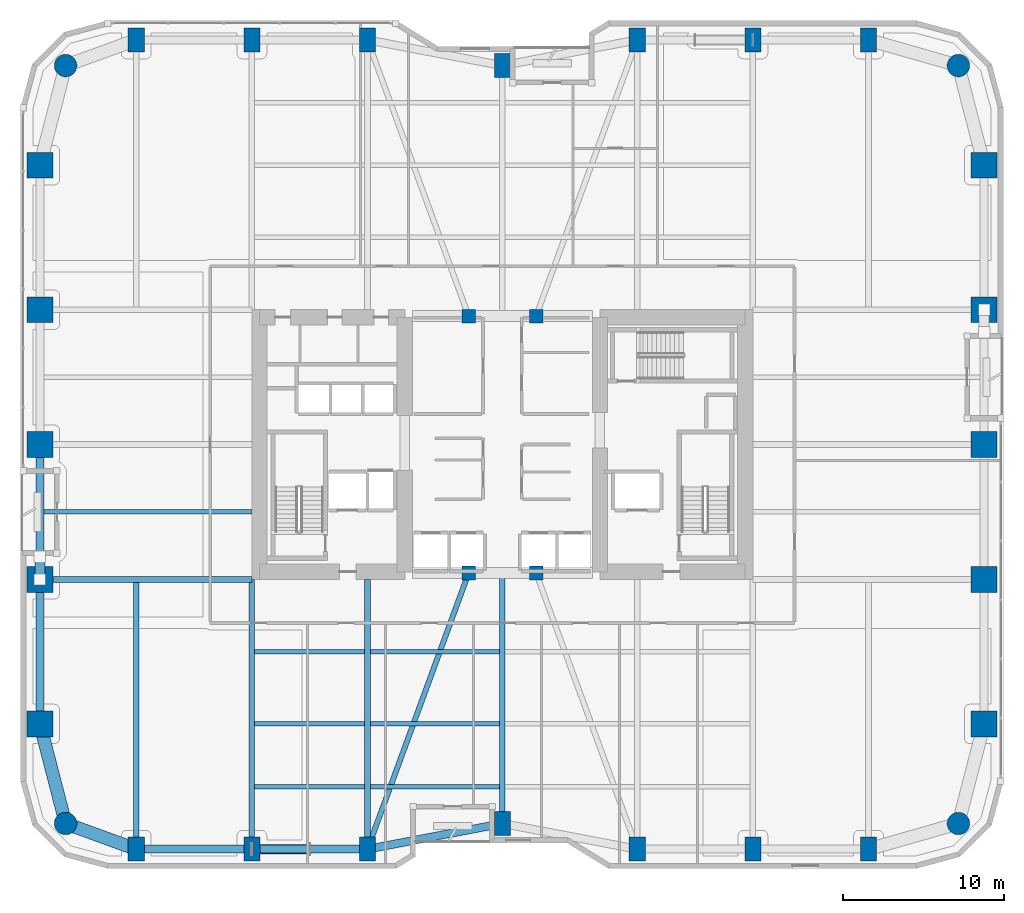
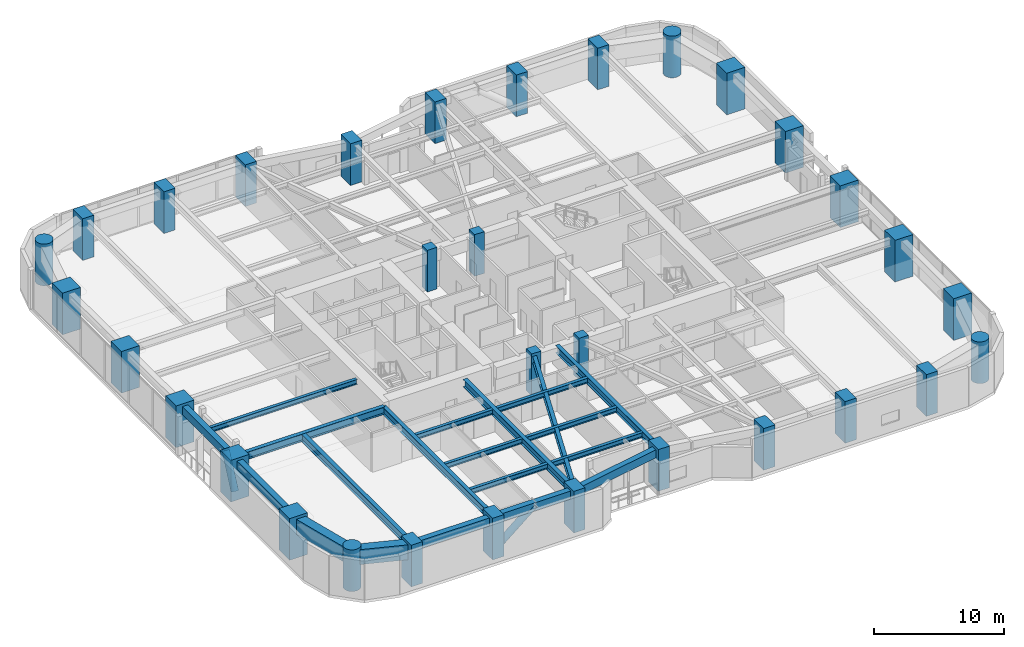
# One storey, part 1 of 29: 32 columns, 20 beams, 2 members.
"""IFC4 building model written with IfcOpenShell, lengths in metres."""

from ifc_helpers import new_model, si_unit, direction, frame, origin, origin_2d, place, context, subcontext, project, spatial, rectangle, circle, hollow_circle, i_section, extrude, material, material_profile, profile_set, type_object, element, save


model = new_model("IFC4")

# Units and contexts
model_context = context("Model", 3, precision=1e-05, world=origin(), true_north=direction((0.0, 1.0)))
body_context = subcontext(model_context, "Body", "Model", "MODEL_VIEW")
ifc_project = project(units=[si_unit("LENGTHUNIT", "METRE"), si_unit("AREAUNIT", "SQUARE_METRE"), si_unit("VOLUMEUNIT", "CUBIC_METRE"), si_unit("PLANEANGLEUNIT", "RADIAN"), si_unit("MASSUNIT", "GRAM", prefix="KILO")], contexts=[model_context])

# Site, building, storey
site_placement = place(None, origin())
site = spatial("IfcSite", under=ifc_project, at=site_placement, CompositionType="ELEMENT")
building_placement = place(site_placement, origin())
building = spatial("IfcBuilding", under=site, at=building_placement, Name="Kiyonajd Concourse Tower", CompositionType="ELEMENT")
storey_placement = place(building_placement, frame((0.0, 0.0, 52.800048828125)))
storey = spatial("IfcBuildingStorey", under=building, at=storey_placement, Name="L14", CompositionType="ELEMENT", Elevation=52.800048828125)

# Columns
ifc_material_1 = material(Name="Concrete C80/95", Category="concrete")
ifc_material_profile_1 = material_profile(ifc_material_1, rectangle(XDim=1.0, YDim=1.5, at=origin_2d()), Name="RC-1500x1000")
ifc_profile_set_1 = profile_set([ifc_material_profile_1], Name="Concrete C80/95")
column_type_1 = type_object("IfcColumnType", Name="CL-BLADE-1500", PredefinedType="COLUMN", material=ifc_profile_set_1)
for number, where, z_axis, x_axis, name in (
    (1, (25.199951171875, 10.800048828125, 0.0), (0.0, 0.0, 1.0), (1.0, 0.0, 0.0), "L14 Perimeter Bundled Tube Column"),
    (2, (25.199951171875, 61.199951171875, 0.0), (0.0, 0.0, 1.0), (1.0, 0.0, 0.0), "L14 Perimeter Bundled Tube Column"),
    (3, (32.39990234375, 10.800048828125, 0.0), (0.0, 0.0, 1.0), (1.0, 0.0, 0.0), "L14 Perimeter Bundled Tube Column"),
    (4, (32.39990234375, 61.199951171875, 0.0), (0.0, 0.0, 1.0), (1.0, 0.0, 0.0), "L14 Perimeter Bundled Tube Column"),
    (5, (39.60009765625, 10.800048828125, 0.0), (0.0, 0.0, 1.0), (1.0, 0.0, 0.0), "L14 Perimeter Bundled Tube Column"),
    (6, (39.60009765625, 61.199951171875, 0.0), (0.0, 0.0, 1.0), (1.0, 0.0, 0.0), "L14 Perimeter Bundled Tube Column"),
    (7, (48.0, 12.39990234375, 0.0), (0.0, 0.0, 1.0), (1.0, 0.0, 0.0), "L14 Perimeter Bundled Tube Column"),
    (8, (48.0, 59.60009765625, 0.0), (0.0, 0.0, 1.0), (1.0, 0.0, 0.0), "L14 Perimeter Bundled Tube Column"),
    (9, (56.39990234375, 10.800048828125, 0.0), (0.0, 0.0, 1.0), (1.0, 0.0, 0.0), "L14 Perimeter Bundled Tube Column"),
    (10, (56.39990234375, 61.199951171875, 0.0), (0.0, 0.0, 1.0), (1.0, 0.0, 0.0), "L14 Perimeter Bundled Tube Column"),
    (11, (63.60009765625, 10.800048828125, 0.0), (0.0, 0.0, 1.0), (1.0, 0.0, 0.0), "L14 Perimeter Bundled Tube Column"),
    (12, (63.60009765625, 61.199951171875, 0.0), (0.0, 0.0, 1.0), (1.0, 0.0, 0.0), "L14 Perimeter Bundled Tube Column"),
    (13, (70.800048828125, 10.800048828125, 0.0), (0.0, 0.0, 1.0), (1.0, 0.0, 0.0), "L14 Perimeter Bundled Tube Column"),
    (14, (70.800048828125, 61.199951171875, 0.0), (0.0, 0.0, 1.0), (1.0, 0.0, 0.0), "L14 Perimeter Bundled Tube Column"),
):
    element("IfcColumn", number, at=place(storey_placement, frame(where, z_axis=z_axis, x_axis=x_axis)), inside=storey, type_object=column_type_1, Name=name, PredefinedType="COLUMN", context=body_context, shape_type="SweptSolid", body=[
        extrude(rectangle(XDim=1.0, YDim=1.5, at=origin_2d()), origin(), (0.0, 0.0, 1.0), 3.89990234375),
    ])
ifc_material_profile_2 = material_profile(ifc_material_1, circle(Radius=0.699951171875, at=origin_2d()), Name="RCC-D1400")
ifc_profile_set_2 = profile_set([ifc_material_profile_2], Name="Concrete C80/95")
column_type_2 = type_object("IfcColumnType", Name="CL-RND-1400", PredefinedType="COLUMN", material=ifc_profile_set_2)
for number, where, z_axis, x_axis, name in (
    (15, (20.800048828125, 12.39990234375, 0.0), (0.0, 0.0, 1.0), (1.0, 0.0, 0.0), "L14 Bundled Tube Corner Column South West"),
    (16, (76.39990234375, 12.39990234375, 0.0), (0.0, 0.0, 1.0), (1.0, 0.0, 0.0), "L14 Bundled Tube Corner Column South East"),
    (17, (76.39990234375, 59.60009765625, 0.0), (0.0, 0.0, 1.0), (1.0, 0.0, 0.0), "L14 Bundled Tube Corner Column North East"),
    (18, (20.800048828125, 59.60009765625, 0.0), (0.0, 0.0, 1.0), (1.0, 0.0, 0.0), "L14 Bundled Tube Corner Column North West"),
):
    element("IfcColumn", number, at=place(storey_placement, frame(where, z_axis=z_axis, x_axis=x_axis)), inside=storey, type_object=column_type_2, Name=name, PredefinedType="COLUMN", context=body_context, shape_type="SweptSolid", body=[
        extrude(circle(Radius=0.699951171875, at=origin_2d()), origin(), (0.0, 0.0, 1.0), 3.89990234375),
    ])
ifc_material_profile_3 = material_profile(ifc_material_1, rectangle(XDim=1.60009765625, YDim=1.60009765625, at=origin_2d()), Name="RC-1600x1600")
ifc_profile_set_3 = profile_set([ifc_material_profile_3], Name="Concrete C80/95")
column_type_3 = type_object("IfcColumnType", Name="CL-TUBE-1600", PredefinedType="COLUMN", material=ifc_profile_set_3)
for number, where, z_axis, x_axis, name in (
    (19, (19.199951171875, 18.60009765625, 0.0), (0.0, 0.0, 1.0), (1.0, 0.0, 0.0), "L14 Perimeter Bundled Tube Column"),
    (20, (78.0, 18.60009765625, 0.0), (0.0, 0.0, 1.0), (1.0, 0.0, 0.0), "L14 Perimeter Bundled Tube Column"),
    (21, (19.199951171875, 27.60009765625, 0.0), (0.0, 0.0, 1.0), (1.0, 0.0, 0.0), "L14 Perimeter Bundled Tube Column"),
    (22, (78.0, 27.60009765625, 0.0), (0.0, 0.0, 1.0), (1.0, 0.0, 0.0), "L14 Perimeter Bundled Tube Column"),
    (23, (19.199951171875, 36.0, 0.0), (0.0, 0.0, 1.0), (1.0, 0.0, 0.0), "L14 Perimeter Bundled Tube Column"),
    (24, (78.0, 36.0, 0.0), (0.0, 0.0, 1.0), (1.0, 0.0, 0.0), "L14 Perimeter Bundled Tube Column"),
    (25, (19.199951171875, 44.39990234375, 0.0), (0.0, 0.0, 1.0), (1.0, 0.0, 0.0), "L14 Perimeter Bundled Tube Column"),
    (26, (78.0, 44.39990234375, 0.0), (0.0, 0.0, 1.0), (1.0, 0.0, 0.0), "L14 Perimeter Bundled Tube Column"),
    (27, (19.199951171875, 53.39990234375, 0.0), (0.0, 0.0, 1.0), (1.0, 0.0, 0.0), "L14 Perimeter Bundled Tube Column"),
    (28, (78.0, 53.39990234375, 0.0), (0.0, 0.0, 1.0), (1.0, 0.0, 0.0), "L14 Perimeter Bundled Tube Column"),
):
    element("IfcColumn", number, at=place(storey_placement, frame(where, z_axis=z_axis, x_axis=x_axis)), inside=storey, type_object=column_type_3, Name=name, PredefinedType="COLUMN", context=body_context, shape_type="SweptSolid", body=[
        extrude(rectangle(XDim=1.60009765625, YDim=1.60009765625, at=origin_2d()), origin(), (0.0, 0.0, 1.0), 3.89990234375),
    ])
ifc_material_2 = material(Name="Concrete C60/75", Category="concrete")
ifc_material_profile_4 = material_profile(ifc_material_2, rectangle(XDim=0.85009765625, YDim=0.85009765625, at=origin_2d()), Name="RC-850x850")
ifc_profile_set_4 = profile_set([ifc_material_profile_4], Name="Concrete C60/75")
column_type_4 = type_object("IfcColumnType", Name="CL-TUBE-850", PredefinedType="COLUMN", material=ifc_profile_set_4)
for number, where, z_axis, x_axis, name in (
    (29, (45.89990234375, 28.0, 0.0), (0.0, 0.0, 1.0), (1.0, 0.0, 0.0), "L14 Core Tie Column South West"),
    (30, (50.10009765625, 28.0, 0.0), (0.0, 0.0, 1.0), (1.0, 0.0, 0.0), "L14 Core Tie Column South East"),
    (31, (45.89990234375, 44.0, 0.0), (0.0, 0.0, 1.0), (1.0, 0.0, 0.0), "L14 Core Tie Column North West"),
    (32, (50.10009765625, 44.0, 0.0), (0.0, 0.0, 1.0), (1.0, 0.0, 0.0), "L14 Core Tie Column North East"),
):
    element("IfcColumn", number, at=place(storey_placement, frame(where, z_axis=z_axis, x_axis=x_axis)), inside=storey, type_object=column_type_4, Name=name, PredefinedType="COLUMN", context=body_context, shape_type="SweptSolid", body=[
        extrude(rectangle(XDim=0.85009765625, YDim=0.85009765625, at=origin_2d()), origin(), (0.0, 0.0, 1.0), 3.89990234375),
    ])

# Beams
ifc_material_3 = material(Name="Steel ASTM A992 Grade 50", Category="steel")
ifc_material_profile_5 = material_profile(ifc_material_3, i_section(OverallWidth=0.280029296875, OverallDepth=0.462890625, WebThickness=0.0107421875, FlangeThickness=0.017333984375, at=origin_2d()), Name="W460X113")
ifc_profile_set_5 = profile_set([ifc_material_profile_5], Name="Steel ASTM A992 Grade 50")
beam_type_1 = type_object("IfcBeamType", Name="BM-JST-460A", PredefinedType="JOIST", material=ifc_profile_set_5)
beam_1_placement = place(storey_placement, frame((32.577392578125, 14.699951171875, 3.408447265625), z_axis=(1.0, 0.0, 0.0), x_axis=(0.0, 1.0, 0.0)))
element("IfcBeam", 33, at=beam_1_placement, inside=storey, type_object=beam_type_1, Name="L14 Secondary Floor Joist", PredefinedType="JOIST", context=body_context, shape_type="SweptSolid", body=[
    extrude(i_section(OverallWidth=0.280029296875, OverallDepth=0.462890625, WebThickness=0.0107421875, FlangeThickness=0.017333984375, at=origin_2d()), origin(), (0.0, 0.0, 1.0), 6.84521484375),
])
beam_2_placement = place(storey_placement, frame((39.777587890625, 14.699951171875, 3.408447265625), z_axis=(1.0, 0.0, 0.0), x_axis=(0.0, 1.0, 0.0)))
element("IfcBeam", 34, at=beam_2_placement, inside=storey, type_object=beam_type_1, Name="L14 Secondary Floor Joist", PredefinedType="JOIST", context=body_context, shape_type="SweptSolid", body=[
    extrude(i_section(OverallWidth=0.280029296875, OverallDepth=0.462890625, WebThickness=0.0107421875, FlangeThickness=0.017333984375, at=origin_2d()), origin(), (0.0, 0.0, 1.0), 8.044921875),
])
beam_3_placement = place(storey_placement, frame((32.577392578125, 18.60009765625, 3.408447265625), z_axis=(1.0, 0.0, 0.0), x_axis=(0.0, 1.0, 0.0)))
element("IfcBeam", 35, at=beam_3_placement, inside=storey, type_object=beam_type_1, Name="L14 Secondary Floor Joist", PredefinedType="JOIST", context=body_context, shape_type="SweptSolid", body=[
    extrude(i_section(OverallWidth=0.280029296875, OverallDepth=0.462890625, WebThickness=0.0107421875, FlangeThickness=0.017333984375, at=origin_2d()), origin(), (0.0, 0.0, 1.0), 6.84521484375),
])
beam_4_placement = place(storey_placement, frame((39.777587890625, 18.60009765625, 3.408447265625), z_axis=(1.0, 0.0, 0.0), x_axis=(0.0, 1.0, 0.0)))
element("IfcBeam", 36, at=beam_4_placement, inside=storey, type_object=beam_type_1, Name="L14 Secondary Floor Joist", PredefinedType="JOIST", context=body_context, shape_type="SweptSolid", body=[
    extrude(i_section(OverallWidth=0.280029296875, OverallDepth=0.462890625, WebThickness=0.0107421875, FlangeThickness=0.017333984375, at=origin_2d()), origin(), (0.0, 0.0, 1.0), 8.044921875),
])
beam_5_placement = place(storey_placement, frame((32.577392578125, 23.10009765625, 3.408447265625), z_axis=(1.0, 0.0, 0.0), x_axis=(0.0, 1.0, 0.0)))
element("IfcBeam", 37, at=beam_5_placement, inside=storey, type_object=beam_type_1, Name="L14 Secondary Floor Joist", PredefinedType="JOIST", context=body_context, shape_type="SweptSolid", body=[
    extrude(i_section(OverallWidth=0.280029296875, OverallDepth=0.462890625, WebThickness=0.0107421875, FlangeThickness=0.017333984375, at=origin_2d()), origin(), (0.0, 0.0, 1.0), 6.84521484375),
])
beam_6_placement = place(storey_placement, frame((39.777587890625, 23.10009765625, 3.408447265625), z_axis=(1.0, 0.0, 0.0), x_axis=(0.0, 1.0, 0.0)))
element("IfcBeam", 38, at=beam_6_placement, inside=storey, type_object=beam_type_1, Name="L14 Secondary Floor Joist", PredefinedType="JOIST", context=body_context, shape_type="SweptSolid", body=[
    extrude(i_section(OverallWidth=0.280029296875, OverallDepth=0.462890625, WebThickness=0.0107421875, FlangeThickness=0.017333984375, at=origin_2d()), origin(), (0.0, 0.0, 1.0), 8.044921875),
])
beam_7_placement = place(storey_placement, frame((19.449951171875, 31.800048828125, 3.408447265625), z_axis=(1.0, 0.0, 0.0), x_axis=(0.0, 1.0, 0.0)))
element("IfcBeam", 39, at=beam_7_placement, inside=storey, type_object=beam_type_1, Name="L14 West Secondary Floor Joist", PredefinedType="JOIST", context=body_context, shape_type="SweptSolid", body=[
    extrude(i_section(OverallWidth=0.280029296875, OverallDepth=0.462890625, WebThickness=0.0107421875, FlangeThickness=0.017333984375, at=origin_2d()), origin(), (0.0, 0.0, 1.0), 12.949951171875),
])
ifc_material_4 = material(Name="Precast concrete C50/60", Category="concrete")
ifc_material_profile_6 = material_profile(ifc_material_4, rectangle(XDim=0.5, YDim=0.75, at=origin_2d()), Name="RCBM-500x750")
ifc_profile_set_6 = profile_set([ifc_material_profile_6], Name="Precast concrete C50/60")
beam_type_2 = type_object("IfcBeamType", Name="BM-SPAN-RC", PredefinedType="SPANDREL", material=ifc_profile_set_6)
beam_8_placement = place(storey_placement, frame((19.199951171875, 27.60009765625, 3.264892578125), z_axis=(0.0, -1.0, 0.0), x_axis=(1.0, 0.0, 0.0)))
element("IfcBeam", 40, at=beam_8_placement, inside=storey, type_object=beam_type_2, Name="L14 Perimeter Bundled Tube Spandrel", PredefinedType="SPANDREL", context=body_context, shape_type="SweptSolid", body=[
    extrude(rectangle(XDim=0.5, YDim=0.75, at=origin_2d()), origin(), (0.0, 0.0, 1.0), 9.0),
])
beam_9_placement = place(storey_placement, frame((25.199951171875, 10.800048828125, 3.264892578125), z_axis=(1.0, 0.0, 0.0), x_axis=(0.0, 1.0, 0.0)))
element("IfcBeam", 41, at=beam_9_placement, inside=storey, type_object=beam_type_2, Name="L14 Perimeter Bundled Tube Spandrel", PredefinedType="SPANDREL", context=body_context, shape_type="SweptSolid", body=[
    extrude(rectangle(XDim=0.5, YDim=0.75, at=origin_2d()), origin(), (0.0, 0.0, 1.0), 7.199951171875),
])
beam_10_placement = place(storey_placement, frame((32.39990234375, 10.800048828125, 3.264892578125), z_axis=(1.0, 0.0, 0.0), x_axis=(0.0, 1.0, 0.0)))
element("IfcBeam", 42, at=beam_10_placement, inside=storey, type_object=beam_type_2, Name="L14 Perimeter Bundled Tube Spandrel", PredefinedType="SPANDREL", context=body_context, shape_type="SweptSolid", body=[
    extrude(rectangle(XDim=0.5, YDim=0.75, at=origin_2d()), origin(), (0.0, 0.0, 1.0), 7.2001953125),
])
beam_11_placement = place(storey_placement, frame((39.60009765625, 10.800048828125, 3.264892578125), z_axis=(0.982341315253, 0.187097675953, 0.0), x_axis=(-0.187097675953, 0.982341315253, 0.0)))
element("IfcBeam", 43, at=beam_11_placement, inside=storey, type_object=beam_type_2, Name="L14 Perimeter Bundled Tube Spandrel", PredefinedType="SPANDREL", context=body_context, shape_type="SweptSolid", body=[
    extrude(rectangle(XDim=0.5, YDim=0.75, at=origin_2d()), origin(), (0.0, 0.0, 1.0), 8.55078125),
])
beam_12_placement = place(storey_placement, frame((19.199951171875, 36.0, 3.264892578125), z_axis=(0.0, -1.0, 0.0), x_axis=(1.0, 0.0, 0.0)))
element("IfcBeam", 44, at=beam_12_placement, inside=storey, type_object=beam_type_2, Name="L14 Perimeter Bundled Tube Spandrel", PredefinedType="SPANDREL", context=body_context, shape_type="SweptSolid", body=[
    extrude(rectangle(XDim=0.5, YDim=0.75, at=origin_2d()), origin(), (0.0, 0.0, 1.0), 8.39990234375),
])
ifc_material_profile_7 = material_profile(ifc_material_3, i_section(OverallWidth=0.326904296875, OverallDepth=0.6220703125, WebThickness=0.015380859375, FlangeThickness=0.0244140625, at=origin_2d()), Name="W610X195")
ifc_profile_set_7 = profile_set([ifc_material_profile_7], Name="Steel ASTM A992 Grade 50")
beam_type_3 = type_object("IfcBeamType", Name="BM-TWR-610A", PredefinedType="BEAM", material=ifc_profile_set_7)
beam_13_placement = place(storey_placement, frame((39.60009765625, 10.800048828125, 3.328857421875), z_axis=(0.343925269715, 0.938997022813, 0.0), x_axis=(-0.938997022813, 0.343925269715, 0.0)))
element("IfcBeam", 45, at=beam_13_placement, inside=storey, type_object=beam_type_3, Name="L14 Core Tie Girder", PredefinedType="BEAM", context=body_context, shape_type="SweptSolid", body=[
    extrude(i_section(OverallWidth=0.326904296875, OverallDepth=0.6220703125, WebThickness=0.015380859375, FlangeThickness=0.0244140625, at=origin_2d()), origin(), (0.0, 0.0, 1.0), 18.3173828125),
])
ifc_material_profile_8 = material_profile(ifc_material_3, i_section(OverallWidth=0.35498046875, OverallDepth=0.695068359375, WebThickness=0.015380859375, FlangeThickness=0.02490234375, at=origin_2d()), Name="W690X217")
ifc_profile_set_8 = profile_set([ifc_material_profile_8], Name="Steel ASTM A992 Grade 50")
beam_type_4 = type_object("IfcBeamType", Name="BM-TWR-690", PredefinedType="BEAM", material=ifc_profile_set_8)
for number, where, z_axis, x_axis, name in (
    (46, (25.199951171875, 10.800048828125, 3.29248046875), (0.0, 1.0, 0.0), (-1.0, 0.0, 0.0), "L14 South Lease Girder"),
    (47, (32.39990234375, 10.800048828125, 3.29248046875), (0.0, 1.0, 0.0), (-1.0, 0.0, 0.0), "L14 South Lease Girder"),
    (48, (39.60009765625, 10.800048828125, 3.29248046875), (0.0, 1.0, 0.0), (-1.0, 0.0, 0.0), "L14 South Lease Girder"),
):
    element("IfcBeam", number, at=place(storey_placement, frame(where, z_axis=z_axis, x_axis=x_axis)), inside=storey, type_object=beam_type_4, Name=name, PredefinedType="BEAM", context=body_context, shape_type="SweptSolid", body=[
        extrude(i_section(OverallWidth=0.35498046875, OverallDepth=0.695068359375, WebThickness=0.015380859375, FlangeThickness=0.02490234375, at=origin_2d()), origin(), (0.0, 0.0, 1.0), 16.800048828125),
    ])
beam_14_placement = place(storey_placement, frame((48.0, 12.39990234375, 3.29248046875), z_axis=(0.0, 1.0, 0.0), x_axis=(-1.0, 0.0, 0.0)))
element("IfcBeam", 49, at=beam_14_placement, inside=storey, type_object=beam_type_4, Name="L14 South Ribbon Girder", PredefinedType="BEAM", context=body_context, shape_type="SweptSolid", body=[
    extrude(i_section(OverallWidth=0.35498046875, OverallDepth=0.695068359375, WebThickness=0.015380859375, FlangeThickness=0.02490234375, at=origin_2d()), origin(), (0.0, 0.0, 1.0), 15.60009765625),
])
beam_15_placement = place(storey_placement, frame((19.199951171875, 27.60009765625, 3.29248046875), z_axis=(1.0, 0.0, 0.0), x_axis=(0.0, 1.0, 0.0)))
element("IfcBeam", 50, at=beam_15_placement, inside=storey, type_object=beam_type_4, Name="L14 West Lease Girder", PredefinedType="BEAM", context=body_context, shape_type="SweptSolid", body=[
    extrude(i_section(OverallWidth=0.35498046875, OverallDepth=0.695068359375, WebThickness=0.015380859375, FlangeThickness=0.02490234375, at=origin_2d()), origin(), (0.0, 0.0, 1.0), 13.199951171875),
])
ifc_material_profile_9 = material_profile(ifc_material_2, rectangle(XDim=0.800048828125, YDim=1.39990234375, at=origin_2d()), Name="RCBM-800x1400")
ifc_profile_set_9 = profile_set([ifc_material_profile_9], Name="Concrete C60/75")
beam_type_5 = type_object("IfcBeamType", Name="BM-XFER-RC", PredefinedType="BEAM", material=ifc_profile_set_9)
beam_16_placement = place(storey_placement, frame((19.199951171875, 18.60009765625, 2.93994140625), z_axis=(0.249884937687, -0.968275538221, 0.0), x_axis=(0.968275538221, 0.249884937687, 0.0)))
element("IfcBeam", 51, at=beam_16_placement, inside=storey, type_object=beam_type_5, Name="L14 Perimeter Bundled Tube Spandrel", PredefinedType="BEAM", context=body_context, shape_type="SweptSolid", body=[
    extrude(rectangle(XDim=0.800048828125, YDim=1.39990234375, at=origin_2d()), origin(), (0.0, 0.0, 1.0), 6.4033203125),
])
beam_17_placement = place(storey_placement, frame((20.800048828125, 12.39990234375, 2.93994140625), z_axis=(0.939801036019, -0.341722127901, 0.0), x_axis=(0.341722127901, 0.939801036019, 0.0)))
element("IfcBeam", 52, at=beam_17_placement, inside=storey, type_object=beam_type_5, Name="L14 Perimeter Bundled Tube Spandrel", PredefinedType="BEAM", context=body_context, shape_type="SweptSolid", body=[
    extrude(rectangle(XDim=0.800048828125, YDim=1.39990234375, at=origin_2d()), origin(), (0.0, 0.0, 1.0), 4.681640625),
])

# Members
ifc_material_5 = material(Name="Steel ASTM A572 Grade 50", Category="steel")
ifc_material_profile_10 = material_profile(ifc_material_5, hollow_circle(Radius=0.304931640625, WallThickness=0.02490234375, at=origin_2d()), Name="CHS-610x25")
ifc_profile_set_10 = profile_set([ifc_material_profile_10], Name="Steel ASTM A572 Grade 50")
member_type = type_object("IfcMemberType", Name="MB-PB-LOW", PredefinedType="BRACE", material=ifc_profile_set_10)
member_1_placement = place(storey_placement, frame((32.39990234375, 10.800048828125, 0.300048828125), z_axis=(0.769280705518, 0.0, 0.638910945373), x_axis=(0.0, 1.0, 0.0)))
element("IfcMember", 53, at=member_1_placement, inside=storey, type_object=member_type, Name="L14 Lower Zone Welded Tube Brace PBS", PredefinedType="BRACE", context=body_context, shape_type="SweptSolid", body=[
    extrude(hollow_circle(Radius=0.304931640625, WallThickness=0.02490234375, at=origin_2d()), origin(), (0.0, 0.0, 1.0), 4.679931640625),
])
member_2_placement = place(storey_placement, frame((19.199951171875, 27.60009765625, 0.300048828125), z_axis=(0.0, 0.424022702926, 0.905651559598), x_axis=(-1.0, 0.0, 0.0)))
element("IfcMember", 54, at=member_2_placement, inside=storey, type_object=member_type, Name="L14 Lower Zone Welded Tube Brace PBW", PredefinedType="BRACE", context=body_context, shape_type="SweptSolid", body=[
    extrude(hollow_circle(Radius=0.304931640625, WallThickness=0.02490234375, at=origin_2d()), origin(), (0.0, 0.0, 1.0), 3.301513671875),
])

save(model, "model.ifc")
